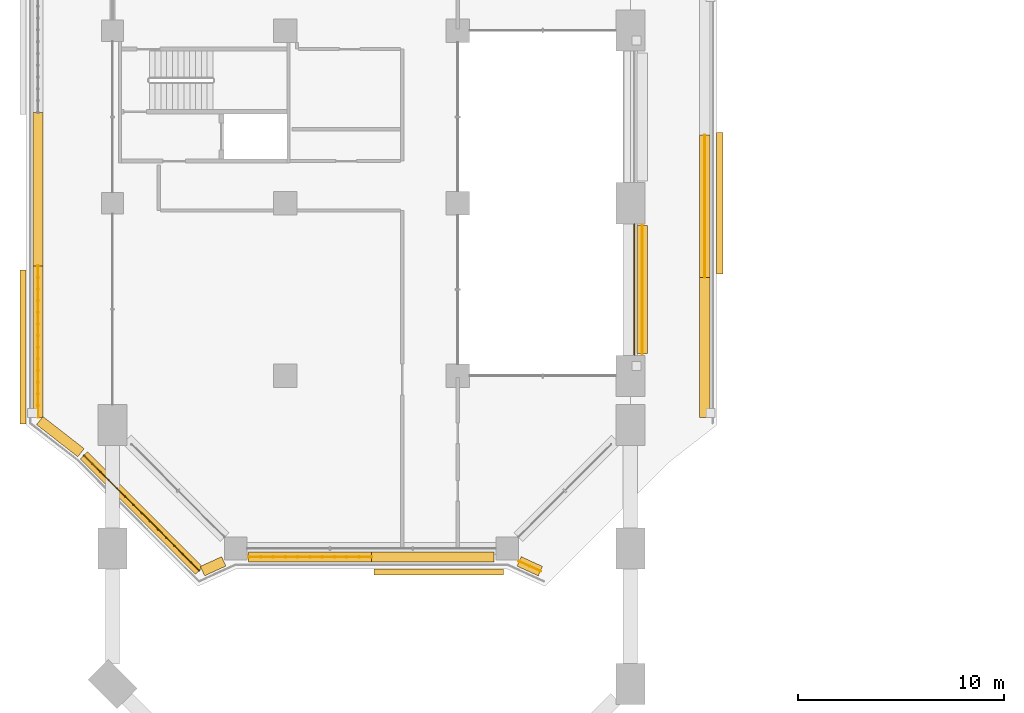
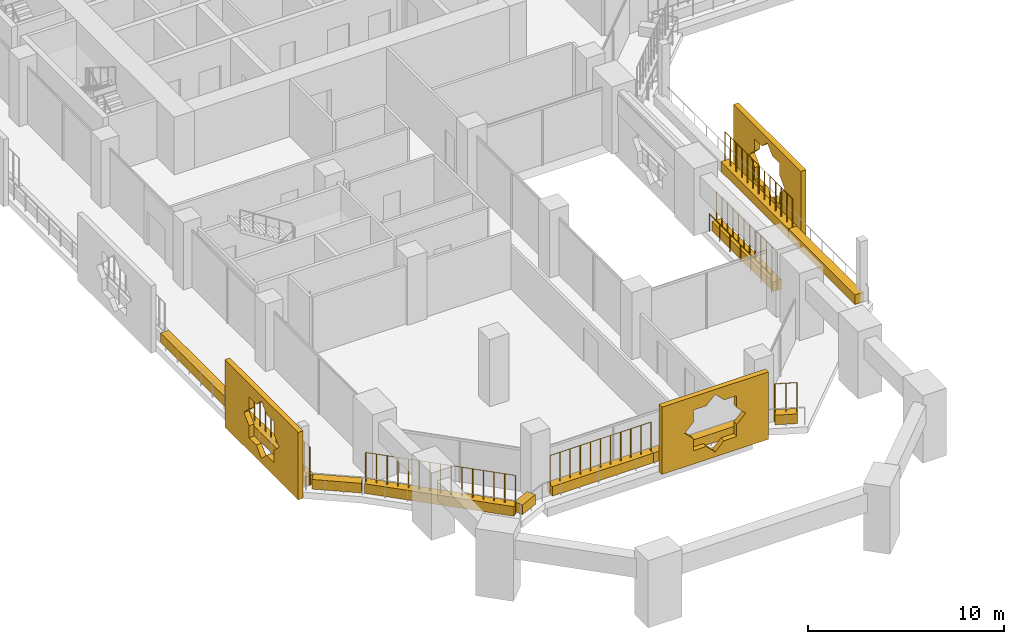
# One storey, part 21 of 29: 14 coverings, 7 railings.
"""IFC4 building model written with IfcOpenShell, lengths in metres."""

from ifc_helpers import new_model, si_unit, direction, frame, origin, origin_2d, place, context, subcontext, project, spatial, polyline, rectangle, circle, outline, extrude, material, material_profile, profile_set, type_object, element, save


model = new_model("IFC4")

# Units and contexts
model_context = context("Model", 3, precision=1e-05, world=origin(), true_north=direction((0.0, 1.0)))
body_context = subcontext(model_context, "Body", "Model", "MODEL_VIEW")
ifc_project = project(units=[si_unit("LENGTHUNIT", "METRE"), si_unit("AREAUNIT", "SQUARE_METRE"), si_unit("VOLUMEUNIT", "CUBIC_METRE"), si_unit("PLANEANGLEUNIT", "RADIAN"), si_unit("MASSUNIT", "GRAM", prefix="KILO")], contexts=[model_context])

# Site, building, storey
site_placement = place(None, origin())
site = spatial("IfcSite", under=ifc_project, at=site_placement, CompositionType="ELEMENT")
building_placement = place(site_placement, origin())
building = spatial("IfcBuilding", under=site, at=building_placement, Name="Kawkab Arch Medical Tower", CompositionType="ELEMENT")
storey_placement = place(building_placement, frame((0.0, 0.0, 107.199951171875)))
storey = spatial("IfcBuildingStorey", under=building, at=storey_placement, Name="L24", CompositionType="ELEMENT", Elevation=107.199951171875)

# Railing
ifc_material_1 = material(Name="Bronze anodised aluminium guard", Category="aluminium")
railing_type_1 = type_object("IfcRailingType", Name="Loggia and terrace guard 1100", PredefinedType="GUARDRAIL", material=ifc_material_1)
railing_1_placement = place(storey_placement, frame((25.39990234375, -49.3701171875, 0.0)))
element("IfcRailing", 1, at=railing_1_placement, inside=storey, type_object=railing_type_1, Name="Guard L24.LOG-01.1.1", PredefinedType="GUARDRAIL", context=body_context, shape_type="SweptSolid", body=[
    extrude(circle(Radius=0.02392578125, at=origin_2d()), frame((0.0, 0.0, 1.076171875), z_axis=(0.0, 1.0, 0.0), x_axis=(-1.0, 0.0, 0.0)), (0.0, 0.0, 1.0), 6.340087890625),
    extrude(circle(Radius=0.02099609375, at=origin_2d()), origin(), (0.0, 0.0, 1.0), 1.052001953125),
    extrude(circle(Radius=0.02099609375, at=origin_2d()), frame((0.0, 1.056640625, 0.0)), (0.0, 0.0, 1.0), 1.052001953125),
    extrude(circle(Radius=0.02099609375, at=origin_2d()), frame((0.0, 2.11328125, 0.0)), (0.0, 0.0, 1.0), 1.052001953125),
    extrude(circle(Radius=0.02099609375, at=origin_2d()), frame((0.0, 3.169921875, 0.0)), (0.0, 0.0, 1.0), 1.052001953125),
    extrude(circle(Radius=0.02099609375, at=origin_2d()), frame((0.0, 4.226806640625, 0.0)), (0.0, 0.0, 1.0), 1.052001953125),
    extrude(circle(Radius=0.02099609375, at=origin_2d()), frame((0.0, 5.283447265625, 0.0)), (0.0, 0.0, 1.0), 1.052001953125),
    extrude(circle(Radius=0.02099609375, at=origin_2d()), frame((0.0, 6.340087890625, 0.0)), (0.0, 0.0, 1.0), 1.052001953125),
])

# Coverings
ifc_material_2 = material(Name="Bronze anodised aluminium mashrabiya panel, eight-point star pattern", Category="aluminium")
ifc_material_profile_1 = material_profile(ifc_material_2, outline(polyline([(-3.14990234375, -2.10009765625), (3.14990234375, -2.10009765625), (3.14990234375, 2.10009765625), (-3.14990234375, 2.10009765625), (-3.14990234375, -2.10009765625)]), holes=[polyline([(1.800048828125, 0.0), (1.272705078125, 0.527099609375), (1.272705078125, 1.272705078125), (0.527099609375, 1.272705078125), (0.0, 1.800048828125), (-0.527099609375, 1.272705078125), (-1.272705078125, 1.272705078125), (-1.272705078125, 0.527099609375), (-1.800048828125, 0.0), (-1.272705078125, -0.527099609375), (-1.272705078125, -1.272705078125), (-0.527099609375, -1.272705078125), (0.0, -1.800048828125), (0.527099609375, -1.272705078125), (1.272705078125, -1.272705078125), (1.272705078125, -0.527099609375), (1.800048828125, 0.0)])]), Name="Mashrabiya panel 6300x4200")
ifc_profile_set_1 = profile_set([ifc_material_profile_1], Name="Bronze anodised aluminium mashrabiya panel, eight-point star pattern")
covering_type_1 = type_object("IfcCoveringType", Name="Mashrabiya panel 6300 x 4200", PredefinedType="USERDEFINED", material=ifc_profile_set_1)
covering_1_placement = place(storey_placement, frame((15.881103515625, -59.800048828125, 1.699951171875), z_axis=(0.0, -1.0, 0.0), x_axis=(1.0, 0.0, 0.0)))
element("IfcCovering", 2, at=covering_1_placement, inside=storey, type_object=covering_type_1, Name="Mashrabiya panel L24.LOG-01-02.1", ObjectType="SCREEN", PredefinedType="USERDEFINED", context=body_context, shape_type="SweptSolid", body=[
    extrude(outline(polyline([(-3.14990234375, -2.10009765625), (3.14990234375, -2.10009765625), (3.14990234375, 2.10009765625), (-3.14990234375, 2.10009765625), (-3.14990234375, -2.10009765625)]), holes=[polyline([(1.800048828125, 0.0), (1.272705078125, 0.527099609375), (1.272705078125, 1.272705078125), (0.527099609375, 1.272705078125), (0.0, 1.800048828125), (-0.527099609375, 1.272705078125), (-1.272705078125, 1.272705078125), (-1.272705078125, 0.527099609375), (-1.800048828125, 0.0), (-1.272705078125, -0.527099609375), (-1.272705078125, -1.272705078125), (-0.527099609375, -1.272705078125), (0.0, -1.800048828125), (0.527099609375, -1.272705078125), (1.272705078125, -1.272705078125), (1.272705078125, -0.527099609375), (1.800048828125, 0.0)])]), origin(), (0.0, 0.0, 1.0), 0.300048828125),
])
ifc_material_3 = material(Name="Bronze anodised aluminium mashrabiya panel, eight-point star pattern", Category="aluminium")
ifc_material_profile_2 = material_profile(ifc_material_3, outline(polyline([(-3.449951171875, -2.10009765625), (3.449951171875, -2.10009765625), (3.449951171875, 2.10009765625), (-3.449951171875, 2.10009765625), (-3.449951171875, -2.10009765625)]), holes=[polyline([(1.800048828125, 0.0), (1.272705078125, 0.527099609375), (1.272705078125, 1.272705078125), (0.527099609375, 1.272705078125), (0.0, 1.800048828125), (-0.527099609375, 1.272705078125), (-1.272705078125, 1.272705078125), (-1.272705078125, 0.527099609375), (-1.800048828125, 0.0), (-1.272705078125, -0.527099609375), (-1.272705078125, -1.272705078125), (-0.527099609375, -1.272705078125), (0.0, -1.800048828125), (0.527099609375, -1.272705078125), (1.272705078125, -1.272705078125), (1.272705078125, -0.527099609375), (1.800048828125, 0.0)])]), Name="Mashrabiya panel 6900x4200")
ifc_profile_set_2 = profile_set([ifc_material_profile_2], Name="Bronze anodised aluminium mashrabiya panel, eight-point star pattern")
covering_type_2 = type_object("IfcCoveringType", Name="Mashrabiya panel 6900 x 4200", PredefinedType="USERDEFINED", material=ifc_profile_set_2)
covering_2_placement = place(storey_placement, frame((29.39990234375, -42.002685546875, 1.699951171875), z_axis=(1.0, 0.0, 0.0), x_axis=(0.0, 1.0, 0.0)))
element("IfcCovering", 3, at=covering_2_placement, inside=storey, type_object=covering_type_2, Name="Mashrabiya panel L24.LOG-01-02.12", ObjectType="SCREEN", PredefinedType="USERDEFINED", context=body_context, shape_type="SweptSolid", body=[
    extrude(outline(polyline([(-3.449951171875, -2.10009765625), (3.449951171875, -2.10009765625), (3.449951171875, 2.10009765625), (-3.449951171875, 2.10009765625), (-3.449951171875, -2.10009765625)]), holes=[polyline([(1.800048828125, 0.0), (1.272705078125, 0.527099609375), (1.272705078125, 1.272705078125), (0.527099609375, 1.272705078125), (0.0, 1.800048828125), (-0.527099609375, 1.272705078125), (-1.272705078125, 1.272705078125), (-1.272705078125, 0.527099609375), (-1.800048828125, 0.0), (-1.272705078125, -0.527099609375), (-1.272705078125, -1.272705078125), (-0.527099609375, -1.272705078125), (0.0, -1.800048828125), (0.527099609375, -1.272705078125), (1.272705078125, -1.272705078125), (1.272705078125, -0.527099609375), (1.800048828125, 0.0)])]), origin(), (0.0, 0.0, 1.0), 0.300048828125),
])
ifc_material_4 = material(Name="Bronze anodised aluminium mashrabiya panel, eight-point star pattern", Category="aluminium")
ifc_material_profile_3 = material_profile(ifc_material_4, outline(polyline([(-3.75, -2.10009765625), (3.75, -2.10009765625), (3.75, 2.10009765625), (-3.75, 2.10009765625), (-3.75, -2.10009765625)]), holes=[polyline([(1.800048828125, 0.0), (1.272705078125, 0.527099609375), (1.272705078125, 1.272705078125), (0.527099609375, 1.272705078125), (0.0, 1.800048828125), (-0.527099609375, 1.272705078125), (-1.272705078125, 1.272705078125), (-1.272705078125, 0.527099609375), (-1.800048828125, 0.0), (-1.272705078125, -0.527099609375), (-1.272705078125, -1.272705078125), (-0.527099609375, -1.272705078125), (0.0, -1.800048828125), (0.527099609375, -1.272705078125), (1.272705078125, -1.272705078125), (1.272705078125, -0.527099609375), (1.800048828125, 0.0)])]), Name="Mashrabiya panel 7500x4200")
ifc_profile_set_3 = profile_set([ifc_material_profile_3], Name="Bronze anodised aluminium mashrabiya panel, eight-point star pattern")
covering_type_3 = type_object("IfcCoveringType", Name="Mashrabiya panel 7500 x 4200", PredefinedType="USERDEFINED", material=ifc_profile_set_3)
covering_3_placement = place(storey_placement, frame((-4.199951171875, -49.00439453125, 1.699951171875), z_axis=(-1.0, 0.0, 0.0), x_axis=(0.0, -1.0, 0.0)))
element("IfcCovering", 4, at=covering_3_placement, inside=storey, type_object=covering_type_3, Name="Mashrabiya panel L24.LOG-01-02.2", ObjectType="SCREEN", PredefinedType="USERDEFINED", context=body_context, shape_type="SweptSolid", body=[
    extrude(outline(polyline([(-3.75, -2.10009765625), (3.75, -2.10009765625), (3.75, 2.10009765625), (-3.75, 2.10009765625), (-3.75, -2.10009765625)]), holes=[polyline([(1.800048828125, 0.0), (1.272705078125, 0.527099609375), (1.272705078125, 1.272705078125), (0.527099609375, 1.272705078125), (0.0, 1.800048828125), (-0.527099609375, 1.272705078125), (-1.272705078125, 1.272705078125), (-1.272705078125, 0.527099609375), (-1.800048828125, 0.0), (-1.272705078125, -0.527099609375), (-1.272705078125, -1.272705078125), (-0.527099609375, -1.272705078125), (0.0, -1.800048828125), (0.527099609375, -1.272705078125), (1.272705078125, -1.272705078125), (1.272705078125, -0.527099609375), (1.800048828125, 0.0)])]), origin(), (0.0, 0.0, 1.0), 0.300048828125),
])
ifc_material_5 = material(Name="Planting soil in a precast trough", Category="concrete")
ifc_material_profile_4 = material_profile(ifc_material_5, rectangle(XDim=0.5, YDim=0.60009765625, at=origin_2d()), Name="Trough 500x600")
ifc_profile_set_4 = profile_set([ifc_material_profile_4], Name="Planting soil in a precast trough")
covering_type_4 = type_object("IfcCoveringType", Name="Planter trough 500 x 600", PredefinedType="USERDEFINED", material=ifc_profile_set_4)
covering_4_placement = place(storey_placement, frame((25.780029296875, -49.320068359375, 0.300048828125), z_axis=(0.0, 1.0, 0.0), x_axis=(-1.0, 0.0, 0.0)))
element("IfcCovering", 5, at=covering_4_placement, inside=storey, type_object=covering_type_4, Name="Planter L24.LOG-01-01.1", ObjectType="PLANTER", PredefinedType="USERDEFINED", context=body_context, shape_type="SweptSolid", body=[
    extrude(rectangle(XDim=0.5, YDim=0.60009765625, at=origin_2d()), origin(), (0.0, 0.0, 1.0), 6.239990234375),
])
covering_5_placement = place(storey_placement, frame((20.821044921875, -59.902099609375, 0.300048828125), z_axis=(-0.909821891123, 0.414998947508, 0.0), x_axis=(-0.414998947508, -0.909821891123, 0.0)))
element("IfcCovering", 6, at=covering_5_placement, inside=storey, type_object=covering_type_4, Name="Planter L24.LOG-01-02.1", ObjectType="PLANTER", PredefinedType="USERDEFINED", context=body_context, shape_type="SweptSolid", body=[
    extrude(rectangle(XDim=0.5, YDim=0.60009765625, at=origin_2d()), origin(), (0.0, 0.0, 1.0), 1.1376953125),
])
covering_6_placement = place(storey_placement, frame((18.570068359375, -59.219970703125, 0.300048828125), z_axis=(-1.0, 0.0, 0.0), x_axis=(0.0, -1.0, 0.0)))
element("IfcCovering", 7, at=covering_6_placement, inside=storey, type_object=covering_type_4, Name="Planter L24.LOG-01-02.2", ObjectType="PLANTER", PredefinedType="USERDEFINED", context=body_context, shape_type="SweptSolid", body=[
    extrude(rectangle(XDim=0.5, YDim=0.60009765625, at=origin_2d()), origin(), (0.0, 0.0, 1.0), 5.969970703125),
])
covering_7_placement = place(storey_placement, frame((12.60009765625, -59.219970703125, 0.300048828125), z_axis=(-1.0, 0.0, 0.0), x_axis=(0.0, -1.0, 0.0)))
element("IfcCovering", 8, at=covering_7_placement, inside=storey, type_object=covering_type_4, Name="Planter L24.LOG-01-02.3", ObjectType="PLANTER", PredefinedType="USERDEFINED", context=body_context, shape_type="SweptSolid", body=[
    extrude(rectangle(XDim=0.5, YDim=0.60009765625, at=origin_2d()), origin(), (0.0, 0.0, 1.0), 5.97021484375),
])
covering_8_placement = place(storey_placement, frame((5.4140625, -59.429931640625, 0.300048828125), z_axis=(-0.909821891123, -0.414998947508, 0.0), x_axis=(0.414998947508, -0.909821891123, 0.0)))
element("IfcCovering", 9, at=covering_8_placement, inside=storey, type_object=covering_type_4, Name="Planter L24.LOG-01-02.4", ObjectType="PLANTER", PredefinedType="USERDEFINED", context=body_context, shape_type="SweptSolid", body=[
    extrude(rectangle(XDim=0.5, YDim=0.60009765625, at=origin_2d()), origin(), (0.0, 0.0, 1.0), 1.1376953125),
])
covering_9_placement = place(storey_placement, frame((4.217041015625, -59.873046875, 0.300048828125), z_axis=(-0.707106781187, 0.707106781187, 0.0), x_axis=(-0.707106781187, -0.707106781187, 0.0)))
element("IfcCovering", 10, at=covering_9_placement, inside=storey, type_object=covering_type_4, Name="Planter L24.LOG-01-02.5", ObjectType="PLANTER", PredefinedType="USERDEFINED", context=body_context, shape_type="SweptSolid", body=[
    extrude(rectangle(XDim=0.5, YDim=0.60009765625, at=origin_2d()), origin(), (0.0, 0.0, 1.0), 7.919677734375),
])
covering_10_placement = place(storey_placement, frame((-1.531982421875, -54.14111328125, 0.300048828125), z_axis=(-0.789228258436, 0.614099956103, 0.0), x_axis=(-0.614099956103, -0.789228258436, 0.0)))
element("IfcCovering", 11, at=covering_10_placement, inside=storey, type_object=covering_type_4, Name="Planter L24.LOG-01-02.6", ObjectType="PLANTER", PredefinedType="USERDEFINED", context=body_context, shape_type="SweptSolid", body=[
    extrude(rectangle(XDim=0.5, YDim=0.60009765625, at=origin_2d()), origin(), (0.0, 0.0, 1.0), 2.545654296875),
])
covering_11_placement = place(storey_placement, frame((-3.6201171875, -52.416015625, 0.300048828125), z_axis=(0.0, 1.0, 0.0), x_axis=(-1.0, 0.0, 0.0)))
element("IfcCovering", 12, at=covering_11_placement, inside=storey, type_object=covering_type_4, Name="Planter L24.LOG-01-02.7", ObjectType="PLANTER", PredefinedType="USERDEFINED", context=body_context, shape_type="SweptSolid", body=[
    extrude(rectangle(XDim=0.5, YDim=0.60009765625, at=origin_2d()), origin(), (0.0, 0.0, 1.0), 7.361083984375),
])
covering_12_placement = place(storey_placement, frame((-3.6201171875, -45.054931640625, 0.300048828125), z_axis=(0.0, 1.0, 0.0), x_axis=(-1.0, 0.0, 0.0)))
element("IfcCovering", 13, at=covering_12_placement, inside=storey, type_object=covering_type_4, Name="Planter L24.LOG-01-02.8", ObjectType="PLANTER", PredefinedType="USERDEFINED", context=body_context, shape_type="SweptSolid", body=[
    extrude(rectangle(XDim=0.5, YDim=0.60009765625, at=origin_2d()), origin(), (0.0, 0.0, 1.0), 7.4619140625),
])
covering_13_placement = place(storey_placement, frame((28.820068359375, -38.69189453125, 0.300048828125), z_axis=(0.0, -1.0, 0.0), x_axis=(1.0, 0.0, 0.0)))
element("IfcCovering", 14, at=covering_13_placement, inside=storey, type_object=covering_type_4, Name="Planter L24.LOG-01-02.47", ObjectType="PLANTER", PredefinedType="USERDEFINED", context=body_context, shape_type="SweptSolid", body=[
    extrude(rectangle(XDim=0.5, YDim=0.60009765625, at=origin_2d()), origin(), (0.0, 0.0, 1.0), 6.912109375),
])
covering_14_placement = place(storey_placement, frame((28.820068359375, -45.60400390625, 0.300048828125), z_axis=(0.0, -1.0, 0.0), x_axis=(1.0, 0.0, 0.0)))
element("IfcCovering", 15, at=covering_14_placement, inside=storey, type_object=covering_type_4, Name="Planter L24.LOG-01-02.48", ObjectType="PLANTER", PredefinedType="USERDEFINED", context=body_context, shape_type="SweptSolid", body=[
    extrude(rectangle(XDim=0.5, YDim=0.60009765625, at=origin_2d()), origin(), (0.0, 0.0, 1.0), 6.81201171875),
])

# Railings
ifc_material_6 = material(Name="Bronze anodised aluminium trellis for climbing plants", Category="aluminium")
railing_type_2 = type_object("IfcRailingType", Name="Planting trellis 2400", PredefinedType="USERDEFINED", material=ifc_material_6)
railing_2_placement = place(storey_placement, frame((25.780029296875, -49.320068359375, 0.0)))
element("IfcRailing", 16, at=railing_2_placement, inside=storey, type_object=railing_type_2, Name="Planting trellis L24.LOG-01-01.1", ObjectType="TRELLIS", PredefinedType="USERDEFINED", context=body_context, shape_type="SweptSolid", body=[
    extrude(circle(Radius=0.01513671875, at=origin_2d()), frame((0.0, 0.0, 2.384765625), z_axis=(0.0, 1.0, 0.0), x_axis=(-1.0, 0.0, 0.0)), (0.0, 0.0, 1.0), 6.239990234375),
    extrude(circle(Radius=0.030029296875, at=origin_2d()), origin(), (0.0, 0.0, 1.0), 2.369873046875),
    extrude(circle(Radius=0.030029296875, at=origin_2d()), frame((0.0, 0.5673828125, 0.0)), (0.0, 0.0, 1.0), 2.369873046875),
    extrude(circle(Radius=0.030029296875, at=origin_2d()), frame((0.0, 1.134521484375, 0.0)), (0.0, 0.0, 1.0), 2.369873046875),
    extrude(circle(Radius=0.030029296875, at=origin_2d()), frame((0.0, 1.701904296875, 0.0)), (0.0, 0.0, 1.0), 2.369873046875),
    extrude(circle(Radius=0.030029296875, at=origin_2d()), frame((0.0, 2.26904296875, 0.0)), (0.0, 0.0, 1.0), 2.369873046875),
    extrude(circle(Radius=0.030029296875, at=origin_2d()), frame((0.0, 2.83642578125, 0.0)), (0.0, 0.0, 1.0), 2.369873046875),
    extrude(circle(Radius=0.030029296875, at=origin_2d()), frame((0.0, 3.403564453125, 0.0)), (0.0, 0.0, 1.0), 2.369873046875),
    extrude(circle(Radius=0.030029296875, at=origin_2d()), frame((0.0, 3.970947265625, 0.0)), (0.0, 0.0, 1.0), 2.369873046875),
    extrude(circle(Radius=0.030029296875, at=origin_2d()), frame((0.0, 4.5380859375, 0.0)), (0.0, 0.0, 1.0), 2.369873046875),
    extrude(circle(Radius=0.030029296875, at=origin_2d()), frame((0.0, 5.10546875, 0.0)), (0.0, 0.0, 1.0), 2.369873046875),
    extrude(circle(Radius=0.030029296875, at=origin_2d()), frame((0.0, 5.672607421875, 0.0)), (0.0, 0.0, 1.0), 2.369873046875),
    extrude(circle(Radius=0.030029296875, at=origin_2d()), frame((0.0, 6.239990234375, 0.0)), (0.0, 0.0, 1.0), 2.369873046875),
])
railing_3_placement = place(storey_placement, frame((20.821044921875, -59.902099609375, 0.0)))
element("IfcRailing", 17, at=railing_3_placement, inside=storey, type_object=railing_type_2, Name="Planting trellis L24.LOG-01-02.1", ObjectType="TRELLIS", PredefinedType="USERDEFINED", context=body_context, shape_type="SweptSolid", body=[
    extrude(circle(Radius=0.01513671875, at=origin_2d()), frame((0.0, 0.0, 2.384765625), z_axis=(-0.909821891123, 0.414998947508, 0.0), x_axis=(-0.414998947508, -0.909821891123, 0.0)), (0.0, 0.0, 1.0), 1.1376953125),
    extrude(circle(Radius=0.030029296875, at=origin_2d()), origin(), (0.0, 0.0, 1.0), 2.369873046875),
    extrude(circle(Radius=0.030029296875, at=origin_2d()), frame((-0.517578125, 0.236083984375, 0.0)), (0.0, 0.0, 1.0), 2.369873046875),
    extrude(circle(Radius=0.030029296875, at=origin_2d()), frame((-1.03515625, 0.47216796875, 0.0)), (0.0, 0.0, 1.0), 2.369873046875),
])
railing_4_placement = place(storey_placement, frame((12.60009765625, -59.219970703125, 0.0)))
element("IfcRailing", 18, at=railing_4_placement, inside=storey, type_object=railing_type_2, Name="Planting trellis L24.LOG-01-02.3", ObjectType="TRELLIS", PredefinedType="USERDEFINED", context=body_context, shape_type="SweptSolid", body=[
    extrude(circle(Radius=0.01513671875, at=origin_2d()), frame((0.0, 0.0, 2.384765625), z_axis=(-1.0, 0.0, 0.0), x_axis=(0.0, -1.0, 0.0)), (0.0, 0.0, 1.0), 5.97021484375),
    extrude(circle(Radius=0.030029296875, at=origin_2d()), origin(), (0.0, 0.0, 1.0), 2.369873046875),
    extrude(circle(Radius=0.030029296875, at=origin_2d()), frame((-0.596923828125, 0.0, 0.0)), (0.0, 0.0, 1.0), 2.369873046875),
    extrude(circle(Radius=0.030029296875, at=origin_2d()), frame((-1.194091796875, 0.0, 0.0)), (0.0, 0.0, 1.0), 2.369873046875),
    extrude(circle(Radius=0.030029296875, at=origin_2d()), frame((-1.791015625, 0.0, 0.0)), (0.0, 0.0, 1.0), 2.369873046875),
    extrude(circle(Radius=0.030029296875, at=origin_2d()), frame((-2.38818359375, 0.0, 0.0)), (0.0, 0.0, 1.0), 2.369873046875),
    extrude(circle(Radius=0.030029296875, at=origin_2d()), frame((-2.985107421875, 0.0, 0.0)), (0.0, 0.0, 1.0), 2.369873046875),
    extrude(circle(Radius=0.030029296875, at=origin_2d()), frame((-3.58203125, 0.0, 0.0)), (0.0, 0.0, 1.0), 2.369873046875),
    extrude(circle(Radius=0.030029296875, at=origin_2d()), frame((-4.17919921875, 0.0, 0.0)), (0.0, 0.0, 1.0), 2.369873046875),
    extrude(circle(Radius=0.030029296875, at=origin_2d()), frame((-4.776123046875, 0.0, 0.0)), (0.0, 0.0, 1.0), 2.369873046875),
    extrude(circle(Radius=0.030029296875, at=origin_2d()), frame((-5.373291015625, 0.0, 0.0)), (0.0, 0.0, 1.0), 2.369873046875),
    extrude(circle(Radius=0.030029296875, at=origin_2d()), frame((-5.97021484375, 0.0, 0.0)), (0.0, 0.0, 1.0), 2.369873046875),
])
railing_5_placement = place(storey_placement, frame((4.217041015625, -59.873046875, 0.0)))
element("IfcRailing", 19, at=railing_5_placement, inside=storey, type_object=railing_type_2, Name="Planting trellis L24.LOG-01-02.5", ObjectType="TRELLIS", PredefinedType="USERDEFINED", context=body_context, shape_type="SweptSolid", body=[
    extrude(circle(Radius=0.01513671875, at=origin_2d()), frame((0.0, 0.0, 2.384765625), z_axis=(-0.707106781187, 0.707106781187, 0.0), x_axis=(-0.707106781187, -0.707106781187, 0.0)), (0.0, 0.0, 1.0), 7.919677734375),
    extrude(circle(Radius=0.030029296875, at=origin_2d()), origin(), (0.0, 0.0, 1.0), 2.369873046875),
    extrude(circle(Radius=0.030029296875, at=origin_2d()), frame((-0.39990234375, 0.39990234375, 0.0)), (0.0, 0.0, 1.0), 2.369873046875),
    extrude(circle(Radius=0.030029296875, at=origin_2d()), frame((-0.800048828125, 0.800048828125, 0.0)), (0.0, 0.0, 1.0), 2.369873046875),
    extrude(circle(Radius=0.030029296875, at=origin_2d()), frame((-1.199951171875, 1.199951171875, 0.0)), (0.0, 0.0, 1.0), 2.369873046875),
    extrude(circle(Radius=0.030029296875, at=origin_2d()), frame((-1.60009765625, 1.60009765625, 0.0)), (0.0, 0.0, 1.0), 2.369873046875),
    extrude(circle(Radius=0.030029296875, at=origin_2d()), frame((-2.0, 2.0, 0.0)), (0.0, 0.0, 1.0), 2.369873046875),
    extrude(circle(Radius=0.030029296875, at=origin_2d()), frame((-2.400146484375, 2.400146484375, 0.0)), (0.0, 0.0, 1.0), 2.369873046875),
    extrude(circle(Radius=0.030029296875, at=origin_2d()), frame((-2.800048828125, 2.800048828125, 0.0)), (0.0, 0.0, 1.0), 2.369873046875),
    extrude(circle(Radius=0.030029296875, at=origin_2d()), frame((-3.199951171875, 3.199951171875, 0.0)), (0.0, 0.0, 1.0), 2.369873046875),
    extrude(circle(Radius=0.030029296875, at=origin_2d()), frame((-3.60009765625, 3.60009765625, 0.0)), (0.0, 0.0, 1.0), 2.369873046875),
    extrude(circle(Radius=0.030029296875, at=origin_2d()), frame((-4.0, 4.0, 0.0)), (0.0, 0.0, 1.0), 2.369873046875),
    extrude(circle(Radius=0.030029296875, at=origin_2d()), frame((-4.400146484375, 4.400146484375, 0.0)), (0.0, 0.0, 1.0), 2.369873046875),
    extrude(circle(Radius=0.030029296875, at=origin_2d()), frame((-4.800048828125, 4.800048828125, 0.0)), (0.0, 0.0, 1.0), 2.369873046875),
    extrude(circle(Radius=0.030029296875, at=origin_2d()), frame((-5.2001953125, 5.2001953125, 0.0)), (0.0, 0.0, 1.0), 2.369873046875),
    extrude(circle(Radius=0.030029296875, at=origin_2d()), frame((-5.60009765625, 5.60009765625, 0.0)), (0.0, 0.0, 1.0), 2.369873046875),
])
railing_6_placement = place(storey_placement, frame((-3.6201171875, -52.416015625, 0.0)))
element("IfcRailing", 20, at=railing_6_placement, inside=storey, type_object=railing_type_2, Name="Planting trellis L24.LOG-01-02.7", ObjectType="TRELLIS", PredefinedType="USERDEFINED", context=body_context, shape_type="SweptSolid", body=[
    extrude(circle(Radius=0.01513671875, at=origin_2d()), frame((0.0, 0.0, 2.384765625), z_axis=(0.0, 1.0, 0.0), x_axis=(-1.0, 0.0, 0.0)), (0.0, 0.0, 1.0), 7.361083984375),
    extrude(circle(Radius=0.030029296875, at=origin_2d()), origin(), (0.0, 0.0, 1.0), 2.369873046875),
    extrude(circle(Radius=0.030029296875, at=origin_2d()), frame((0.0, 0.566162109375, 0.0)), (0.0, 0.0, 1.0), 2.369873046875),
    extrude(circle(Radius=0.030029296875, at=origin_2d()), frame((0.0, 1.132568359375, 0.0)), (0.0, 0.0, 1.0), 2.369873046875),
    extrude(circle(Radius=0.030029296875, at=origin_2d()), frame((0.0, 1.69873046875, 0.0)), (0.0, 0.0, 1.0), 2.369873046875),
    extrude(circle(Radius=0.030029296875, at=origin_2d()), frame((0.0, 2.264892578125, 0.0)), (0.0, 0.0, 1.0), 2.369873046875),
    extrude(circle(Radius=0.030029296875, at=origin_2d()), frame((0.0, 2.831298828125, 0.0)), (0.0, 0.0, 1.0), 2.369873046875),
    extrude(circle(Radius=0.030029296875, at=origin_2d()), frame((0.0, 3.3974609375, 0.0)), (0.0, 0.0, 1.0), 2.369873046875),
    extrude(circle(Radius=0.030029296875, at=origin_2d()), frame((0.0, 3.963623046875, 0.0)), (0.0, 0.0, 1.0), 2.369873046875),
    extrude(circle(Radius=0.030029296875, at=origin_2d()), frame((0.0, 4.52978515625, 0.0)), (0.0, 0.0, 1.0), 2.369873046875),
    extrude(circle(Radius=0.030029296875, at=origin_2d()), frame((0.0, 5.09619140625, 0.0)), (0.0, 0.0, 1.0), 2.369873046875),
    extrude(circle(Radius=0.030029296875, at=origin_2d()), frame((0.0, 5.662353515625, 0.0)), (0.0, 0.0, 1.0), 2.369873046875),
    extrude(circle(Radius=0.030029296875, at=origin_2d()), frame((0.0, 6.228515625, 0.0)), (0.0, 0.0, 1.0), 2.369873046875),
    extrude(circle(Radius=0.030029296875, at=origin_2d()), frame((0.0, 6.794921875, 0.0)), (0.0, 0.0, 1.0), 2.369873046875),
    extrude(circle(Radius=0.030029296875, at=origin_2d()), frame((0.0, 7.361083984375, 0.0)), (0.0, 0.0, 1.0), 2.369873046875),
])
railing_7_placement = place(storey_placement, frame((28.820068359375, -38.69189453125, 0.0)))
element("IfcRailing", 21, at=railing_7_placement, inside=storey, type_object=railing_type_2, Name="Planting trellis L24.LOG-01-02.47", ObjectType="TRELLIS", PredefinedType="USERDEFINED", context=body_context, shape_type="SweptSolid", body=[
    extrude(circle(Radius=0.01513671875, at=origin_2d()), frame((0.0, 0.0, 2.384765625), z_axis=(0.0, -1.0, 0.0), x_axis=(1.0, 0.0, 0.0)), (0.0, 0.0, 1.0), 6.912109375),
    extrude(circle(Radius=0.030029296875, at=origin_2d()), origin(), (0.0, 0.0, 1.0), 2.369873046875),
    extrude(circle(Radius=0.030029296875, at=origin_2d()), frame((0.0, -0.575927734375, 0.0)), (0.0, 0.0, 1.0), 2.369873046875),
    extrude(circle(Radius=0.030029296875, at=origin_2d()), frame((0.0, -1.152099609375, 0.0)), (0.0, 0.0, 1.0), 2.369873046875),
    extrude(circle(Radius=0.030029296875, at=origin_2d()), frame((0.0, -1.72802734375, 0.0)), (0.0, 0.0, 1.0), 2.369873046875),
    extrude(circle(Radius=0.030029296875, at=origin_2d()), frame((0.0, -2.303955078125, 0.0)), (0.0, 0.0, 1.0), 2.369873046875),
    extrude(circle(Radius=0.030029296875, at=origin_2d()), frame((0.0, -2.880126953125, 0.0)), (0.0, 0.0, 1.0), 2.369873046875),
    extrude(circle(Radius=0.030029296875, at=origin_2d()), frame((0.0, -3.4560546875, 0.0)), (0.0, 0.0, 1.0), 2.369873046875),
    extrude(circle(Radius=0.030029296875, at=origin_2d()), frame((0.0, -4.031982421875, 0.0)), (0.0, 0.0, 1.0), 2.369873046875),
    extrude(circle(Radius=0.030029296875, at=origin_2d()), frame((0.0, -4.608154296875, 0.0)), (0.0, 0.0, 1.0), 2.369873046875),
    extrude(circle(Radius=0.030029296875, at=origin_2d()), frame((0.0, -5.18408203125, 0.0)), (0.0, 0.0, 1.0), 2.369873046875),
    extrude(circle(Radius=0.030029296875, at=origin_2d()), frame((0.0, -5.760009765625, 0.0)), (0.0, 0.0, 1.0), 2.369873046875),
    extrude(circle(Radius=0.030029296875, at=origin_2d()), frame((0.0, -6.336181640625, 0.0)), (0.0, 0.0, 1.0), 2.369873046875),
    extrude(circle(Radius=0.030029296875, at=origin_2d()), frame((0.0, -6.912109375, 0.0)), (0.0, 0.0, 1.0), 2.369873046875),
])

save(model, "model.ifc")
